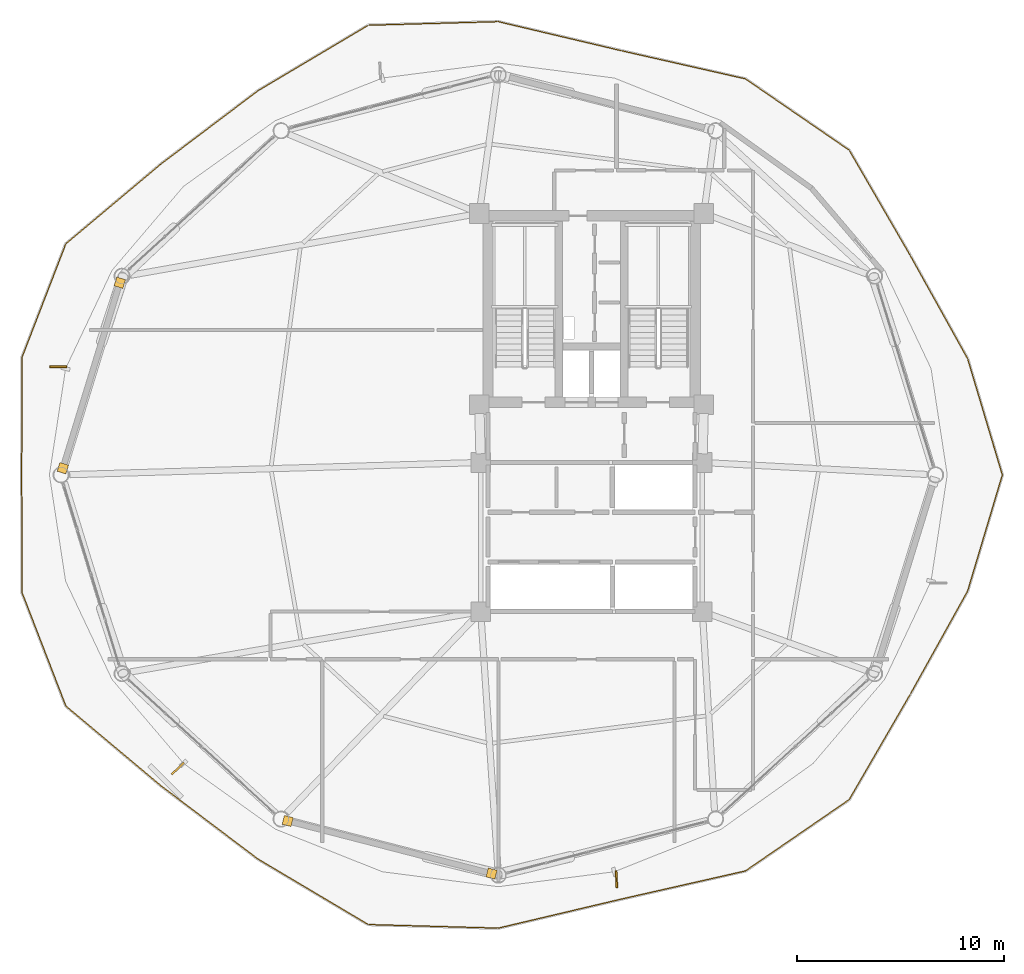
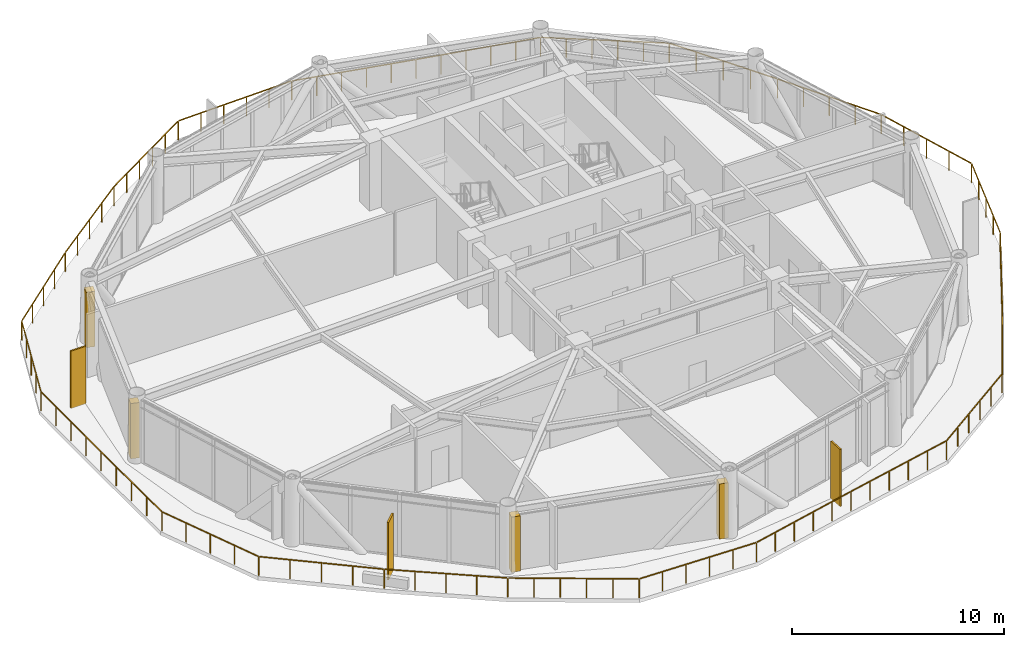
# One storey, part 21 of 23: 4 coverings, 3 shading devices, 1 railing.
"""IFC4 building model written with IfcOpenShell, lengths in metres."""

from ifc_helpers import new_model, si_unit, direction, frame, origin, origin_2d, place, context, subcontext, project, spatial, rectangle, extrude, source, transform, mapped, material, layer, layer_set, type_object, type_shapes, element, save


model = new_model("IFC4")

# Units and contexts
model_context = context("Model", 3, precision=1e-05, world=origin(), true_north=direction((0.0, 1.0)))
body_context = subcontext(model_context, "Body", "Model", "MODEL_VIEW")
ifc_project = project(units=[si_unit("LENGTHUNIT", "METRE"), si_unit("AREAUNIT", "SQUARE_METRE"), si_unit("VOLUMEUNIT", "CUBIC_METRE"), si_unit("PLANEANGLEUNIT", "RADIAN"), si_unit("MASSUNIT", "GRAM", prefix="KILO")], contexts=[model_context])

# Site, building, storey
site_placement = place(None, origin())
site = spatial("IfcSite", under=ifc_project, at=site_placement, CompositionType="ELEMENT")
building_placement = place(site_placement, origin())
building = spatial("IfcBuilding", under=site, at=building_placement, Name="Varnakorn Sky Granary", CompositionType="ELEMENT")
storey_placement = place(building_placement, frame((0.0, 0.0, 130.5)))
storey = spatial("IfcBuildingStorey", under=building, at=storey_placement, Name="L32", CompositionType="ELEMENT", Elevation=130.5)

# Railing
ifc_material = material(Name="Anodised Bronze Aluminium Alloy 6063-T6", Category="aluminium")
railing_type = type_object("IfcRailingType", Name="RL-BAL-1120", PredefinedType="BALUSTRADE", material=ifc_material)
railing_placement = place(storey_placement, frame((22.826904296875, 0.0, 0.0)))
element("IfcRailing", 1, at=railing_placement, inside=storey, type_object=railing_type, Name="Wavy Growing Deck Guard Balustrade L32", PredefinedType="BALUSTRADE", context=body_context, shape_type="SweptSolid", body=[
    extrude(rectangle(XDim=0.048095703125, YDim=0.048095703125, at=origin_2d()), frame((-0.008056640625, 0.02685546875, 1.09619140625), z_axis=(-0.286249325385, 0.958155166827, 0.0), x_axis=(-0.958155166827, -0.286249325385, 0.0)), (0.0, 0.0, 1.0), 5.796630859375),
    extrude(rectangle(XDim=0.048095703125, YDim=0.048095703125, at=origin_2d()), frame((-1.68896484375, 5.632080078125, 1.09619140625), z_axis=(-0.485933969828, 0.873995524569, 0.0), x_axis=(-0.873995524569, -0.485933969828, 0.0)), (0.0, 0.0, 1.0), 5.641357421875),
    extrude(rectangle(XDim=0.048095703125, YDim=0.048095703125, at=origin_2d()), frame((-4.457763671875, 10.611328125, 1.09619140625), z_axis=(-0.501353831619, 0.865242356523, 0.0), x_axis=(-0.865242356523, -0.501353831619, 0.0)), (0.0, 0.0, 1.0), 5.822509765625),
    extrude(rectangle(XDim=0.048095703125, YDim=0.048095703125, at=origin_2d()), frame((-7.414306640625, 15.689453125, 1.09619140625), z_axis=(-0.824078266862, 0.5664759572, 0.0), x_axis=(-0.5664759572, -0.824078266862, 0.0)), (0.0, 0.0, 1.0), 6.02001953125),
    extrude(rectangle(XDim=0.048095703125, YDim=0.048095703125, at=origin_2d()), frame((-12.425537109375, 19.12158203125, 1.09619140625), z_axis=(-0.97524612431, 0.221122131451, 0.0), x_axis=(-0.221122131451, -0.97524612431, 0.0)), (0.0, 0.0, 1.0), 6.0771484375),
    extrude(rectangle(XDim=0.048095703125, YDim=0.048095703125, at=origin_2d()), frame((-18.406982421875, 20.47802734375, 1.09619140625), z_axis=(-0.973236623357, 0.229805297929, 0.0), x_axis=(-0.229805297929, -0.973236623357, 0.0)), (0.0, 0.0, 1.0), 6.054931640625),
    extrude(rectangle(XDim=0.048095703125, YDim=0.048095703125, at=origin_2d()), frame((-24.35498046875, 21.875244140625, 1.09619140625), z_axis=(-0.999622174794, -0.027486499595, 0.0), x_axis=(0.027486499595, -0.999622174794, 0.0)), (0.0, 0.0, 1.0), 6.2236328125),
    extrude(rectangle(XDim=0.048095703125, YDim=0.048095703125, at=origin_2d()), frame((-30.62841796875, 21.68896484375, 1.09619140625), z_axis=(-0.859861238135, -0.510527816237, 0.0), x_axis=(0.510527816237, -0.859861238135, 0.0)), (0.0, 0.0, 1.0), 6.132568359375),
    extrude(rectangle(XDim=0.048095703125, YDim=0.048095703125, at=origin_2d()), frame((-35.947998046875, 18.527099609375, 1.09619140625), z_axis=(-0.798171384119, -0.602430445424, 0.0), x_axis=(0.602430445424, -0.798171384119, 0.0)), (0.0, 0.0, 1.0), 5.8037109375),
    extrude(rectangle(XDim=0.048095703125, YDim=0.048095703125, at=origin_2d()), frame((-40.6240234375, 14.995849609375, 1.09619140625), z_axis=(-0.766246474007, -0.642546761778, 0.0), x_axis=(0.642546761778, -0.766246474007, 0.0)), (0.0, 0.0, 1.0), 5.94384765625),
    extrude(rectangle(XDim=0.048095703125, YDim=0.048095703125, at=origin_2d()), frame((-45.2099609375, 11.132568359375, 1.09619140625), z_axis=(-0.360113155434, -0.932908631798, 0.0), x_axis=(0.932908631798, -0.360113155434, 0.0)), (0.0, 0.0, 1.0), 5.799560546875),
    extrude(rectangle(XDim=0.048095703125, YDim=0.048095703125, at=origin_2d()), frame((-47.308837890625, 5.66796875, 1.09619140625), z_axis=(-0.00445754433, -0.9999900651, 0.0), x_axis=(0.9999900651, -0.00445754433, 0.0)), (0.0, 0.0, 1.0), 5.64013671875),
    extrude(rectangle(XDim=0.048095703125, YDim=0.048095703125, at=origin_2d()), frame((-47.333740234375, -0.028076171875, 1.09619140625), z_axis=(0.00445754433, -0.9999900651, 0.0), x_axis=(0.9999900651, 0.00445754433, 0.0)), (0.0, 0.0, 1.0), 5.64013671875),
    extrude(rectangle(XDim=0.048095703125, YDim=0.048095703125, at=origin_2d()), frame((-47.298583984375, -5.72216796875, 1.09619140625), z_axis=(0.360113155434, -0.932908631798, 0.0), x_axis=(0.932908631798, 0.360113155434, 0.0)), (0.0, 0.0, 1.0), 5.799560546875),
    extrude(rectangle(XDim=0.048095703125, YDim=0.048095703125, at=origin_2d()), frame((-45.178466796875, -11.1767578125, 1.09619140625), z_axis=(0.766246474007, -0.642546761778, 0.0), x_axis=(0.642546761778, 0.766246474007, 0.0)), (0.0, 0.0, 1.0), 5.94384765625),
    extrude(rectangle(XDim=0.048095703125, YDim=0.048095703125, at=origin_2d()), frame((-40.580078125, -15.03076171875, 1.09619140625), z_axis=(0.798171384119, -0.602430445424, 0.0), x_axis=(0.602430445424, 0.798171384119, 0.0)), (0.0, 0.0, 1.0), 5.8037109375),
    extrude(rectangle(XDim=0.048095703125, YDim=0.048095703125, at=origin_2d()), frame((-35.9013671875, -18.558349609375, 1.09619140625), z_axis=(0.859861238135, -0.510527816237, 0.0), x_axis=(0.510527816237, 0.859861238135, 0.0)), (0.0, 0.0, 1.0), 6.132568359375),
    extrude(rectangle(XDim=0.048095703125, YDim=0.048095703125, at=origin_2d()), frame((-30.576171875, -21.7041015625, 1.09619140625), z_axis=(0.999622174794, -0.027486499595, 0.0), x_axis=(0.027486499595, 0.999622174794, 0.0)), (0.0, 0.0, 1.0), 6.2236328125),
    extrude(rectangle(XDim=0.048095703125, YDim=0.048095703125, at=origin_2d()), frame((-24.299560546875, -21.86962890625, 1.09619140625), z_axis=(0.973236623357, 0.229805297929, 0.0), x_axis=(-0.229805297929, 0.973236623357, 0.0)), (0.0, 0.0, 1.0), 6.054931640625),
    extrude(rectangle(XDim=0.048095703125, YDim=0.048095703125, at=origin_2d()), frame((-18.352294921875, -20.465576171875, 1.09619140625), z_axis=(0.97524612431, 0.221122131451, 0.0), x_axis=(-0.221122131451, 0.97524612431, 0.0)), (0.0, 0.0, 1.0), 6.0771484375),
    extrude(rectangle(XDim=0.048095703125, YDim=0.048095703125, at=origin_2d()), frame((-12.375, -19.099609375, 1.09619140625), z_axis=(0.824078266862, 0.5664759572, 0.0), x_axis=(-0.5664759572, 0.824078266862, 0.0)), (0.0, 0.0, 1.0), 6.02001953125),
    extrude(rectangle(XDim=0.048095703125, YDim=0.048095703125, at=origin_2d()), frame((-7.377197265625, -15.6494140625, 1.09619140625), z_axis=(0.501353831619, 0.865242356523, 0.0), x_axis=(-0.865242356523, 0.501353831619, 0.0)), (0.0, 0.0, 1.0), 5.822509765625),
    extrude(rectangle(XDim=0.048095703125, YDim=0.048095703125, at=origin_2d()), frame((-4.43017578125, -10.562744140625, 1.09619140625), z_axis=(0.485933969828, 0.873995524569, 0.0), x_axis=(-0.873995524569, 0.485933969828, 0.0)), (0.0, 0.0, 1.0), 5.641357421875),
    extrude(rectangle(XDim=0.048095703125, YDim=0.048095703125, at=origin_2d()), frame((-1.667236328125, -5.580810546875, 1.09619140625), z_axis=(0.286249325385, 0.958155166827, 0.0), x_axis=(-0.958155166827, 0.286249325385, 0.0)), (0.0, 0.0, 1.0), 5.796630859375),
    extrude(rectangle(XDim=0.0419921875, YDim=0.0419921875, at=origin_2d()), origin(), (0.0, 0.0, 1.0), 1.068115234375),
    extrude(rectangle(XDim=0.0419921875, YDim=0.0419921875, at=origin_2d()), frame((-0.4189453125, 1.40185546875, 0.0)), (0.0, 0.0, 1.0), 1.068115234375),
    extrude(rectangle(XDim=0.0419921875, YDim=0.0419921875, at=origin_2d()), frame((-0.837646484375, 2.8037109375, 0.0)), (0.0, 0.0, 1.0), 1.068115234375),
    extrude(rectangle(XDim=0.0419921875, YDim=0.0419921875, at=origin_2d()), frame((-1.25634765625, 4.205810546875, 0.0)), (0.0, 0.0, 1.0), 1.068115234375),
    extrude(rectangle(XDim=0.0419921875, YDim=0.0419921875, at=origin_2d()), frame((-1.67529296875, 5.607666015625, 0.0)), (0.0, 0.0, 1.0), 1.068115234375),
    extrude(rectangle(XDim=0.0419921875, YDim=0.0419921875, at=origin_2d()), frame((-2.367431640625, 6.8525390625, 0.0)), (0.0, 0.0, 1.0), 1.068115234375),
    extrude(rectangle(XDim=0.0419921875, YDim=0.0419921875, at=origin_2d()), frame((-3.0595703125, 8.097412109375, 0.0)), (0.0, 0.0, 1.0), 1.068115234375),
    extrude(rectangle(XDim=0.0419921875, YDim=0.0419921875, at=origin_2d()), frame((-3.751708984375, 9.34228515625, 0.0)), (0.0, 0.0, 1.0), 1.068115234375),
    extrude(rectangle(XDim=0.0419921875, YDim=0.0419921875, at=origin_2d()), frame((-4.44384765625, 10.587158203125, 0.0)), (0.0, 0.0, 1.0), 1.068115234375),
    extrude(rectangle(XDim=0.0419921875, YDim=0.0419921875, at=origin_2d()), frame((-5.1806640625, 11.85888671875, 0.0)), (0.0, 0.0, 1.0), 1.068115234375),
    extrude(rectangle(XDim=0.0419921875, YDim=0.0419921875, at=origin_2d()), frame((-5.91748046875, 13.13037109375, 0.0)), (0.0, 0.0, 1.0), 1.068115234375),
    extrude(rectangle(XDim=0.0419921875, YDim=0.0419921875, at=origin_2d()), frame((-6.654296875, 14.40185546875, 0.0)), (0.0, 0.0, 1.0), 1.068115234375),
    extrude(rectangle(XDim=0.0419921875, YDim=0.0419921875, at=origin_2d()), frame((-7.39111328125, 15.673583984375, 0.0)), (0.0, 0.0, 1.0), 1.068115234375),
    extrude(rectangle(XDim=0.0419921875, YDim=0.0419921875, at=origin_2d()), frame((-8.392578125, 16.362060546875, 0.0)), (0.0, 0.0, 1.0), 1.068115234375),
    extrude(rectangle(XDim=0.0419921875, YDim=0.0419921875, at=origin_2d()), frame((-9.39404296875, 17.05029296875, 0.0)), (0.0, 0.0, 1.0), 1.068115234375),
    extrude(rectangle(XDim=0.0419921875, YDim=0.0419921875, at=origin_2d()), frame((-10.395263671875, 17.73876953125, 0.0)), (0.0, 0.0, 1.0), 1.068115234375),
    extrude(rectangle(XDim=0.0419921875, YDim=0.0419921875, at=origin_2d()), frame((-11.396728515625, 18.427001953125, 0.0)), (0.0, 0.0, 1.0), 1.068115234375),
    extrude(rectangle(XDim=0.0419921875, YDim=0.0419921875, at=origin_2d()), frame((-12.398193359375, 19.115478515625, 0.0)), (0.0, 0.0, 1.0), 1.068115234375),
    extrude(rectangle(XDim=0.0419921875, YDim=0.0419921875, at=origin_2d()), frame((-13.594482421875, 19.38671875, 0.0)), (0.0, 0.0, 1.0), 1.068115234375),
    extrude(rectangle(XDim=0.0419921875, YDim=0.0419921875, at=origin_2d()), frame((-14.790771484375, 19.657958984375, 0.0)), (0.0, 0.0, 1.0), 1.068115234375),
    extrude(rectangle(XDim=0.0419921875, YDim=0.0419921875, at=origin_2d()), frame((-15.987060546875, 19.92919921875, 0.0)), (0.0, 0.0, 1.0), 1.068115234375),
    extrude(rectangle(XDim=0.0419921875, YDim=0.0419921875, at=origin_2d()), frame((-17.183349609375, 20.200439453125, 0.0)), (0.0, 0.0, 1.0), 1.068115234375),
    extrude(rectangle(XDim=0.0419921875, YDim=0.0419921875, at=origin_2d()), frame((-18.379638671875, 20.4716796875, 0.0)), (0.0, 0.0, 1.0), 1.068115234375),
    extrude(rectangle(XDim=0.0419921875, YDim=0.0419921875, at=origin_2d()), frame((-19.569091796875, 20.75244140625, 0.0)), (0.0, 0.0, 1.0), 1.068115234375),
    extrude(rectangle(XDim=0.0419921875, YDim=0.0419921875, at=origin_2d()), frame((-20.758544921875, 21.033447265625, 0.0)), (0.0, 0.0, 1.0), 1.068115234375),
    extrude(rectangle(XDim=0.0419921875, YDim=0.0419921875, at=origin_2d()), frame((-21.947998046875, 21.314208984375, 0.0)), (0.0, 0.0, 1.0), 1.068115234375),
    extrude(rectangle(XDim=0.0419921875, YDim=0.0419921875, at=origin_2d()), frame((-23.137451171875, 21.59521484375, 0.0)), (0.0, 0.0, 1.0), 1.068115234375),
    extrude(rectangle(XDim=0.0419921875, YDim=0.0419921875, at=origin_2d()), frame((-24.326904296875, 21.8759765625, 0.0)), (0.0, 0.0, 1.0), 1.068115234375),
    extrude(rectangle(XDim=0.0419921875, YDim=0.0419921875, at=origin_2d()), frame((-25.582275390625, 21.841552734375, 0.0)), (0.0, 0.0, 1.0), 1.068115234375),
    extrude(rectangle(XDim=0.0419921875, YDim=0.0419921875, at=origin_2d()), frame((-26.837890625, 21.806884765625, 0.0)), (0.0, 0.0, 1.0), 1.068115234375),
    extrude(rectangle(XDim=0.0419921875, YDim=0.0419921875, at=origin_2d()), frame((-28.09326171875, 21.7724609375, 0.0)), (0.0, 0.0, 1.0), 1.068115234375),
    extrude(rectangle(XDim=0.0419921875, YDim=0.0419921875, at=origin_2d()), frame((-29.348876953125, 21.73779296875, 0.0)), (0.0, 0.0, 1.0), 1.068115234375),
    extrude(rectangle(XDim=0.0419921875, YDim=0.0419921875, at=origin_2d()), frame((-30.604248046875, 21.703369140625, 0.0)), (0.0, 0.0, 1.0), 1.068115234375),
    extrude(rectangle(XDim=0.0419921875, YDim=0.0419921875, at=origin_2d()), frame((-31.66845703125, 21.071533203125, 0.0)), (0.0, 0.0, 1.0), 1.068115234375),
    extrude(rectangle(XDim=0.0419921875, YDim=0.0419921875, at=origin_2d()), frame((-32.732666015625, 20.439697265625, 0.0)), (0.0, 0.0, 1.0), 1.068115234375),
    extrude(rectangle(XDim=0.0419921875, YDim=0.0419921875, at=origin_2d()), frame((-33.797119140625, 19.8076171875, 0.0)), (0.0, 0.0, 1.0), 1.068115234375),
    extrude(rectangle(XDim=0.0419921875, YDim=0.0419921875, at=origin_2d()), frame((-34.861328125, 19.17578125, 0.0)), (0.0, 0.0, 1.0), 1.068115234375),
    extrude(rectangle(XDim=0.0419921875, YDim=0.0419921875, at=origin_2d()), frame((-35.925537109375, 18.5439453125, 0.0)), (0.0, 0.0, 1.0), 1.068115234375),
    extrude(rectangle(XDim=0.0419921875, YDim=0.0419921875, at=origin_2d()), frame((-37.0947265625, 17.661376953125, 0.0)), (0.0, 0.0, 1.0), 1.068115234375),
    extrude(rectangle(XDim=0.0419921875, YDim=0.0419921875, at=origin_2d()), frame((-38.26416015625, 16.77880859375, 0.0)), (0.0, 0.0, 1.0), 1.068115234375),
    extrude(rectangle(XDim=0.0419921875, YDim=0.0419921875, at=origin_2d()), frame((-39.433349609375, 15.896484375, 0.0)), (0.0, 0.0, 1.0), 1.068115234375),
    extrude(rectangle(XDim=0.0419921875, YDim=0.0419921875, at=origin_2d()), frame((-40.6025390625, 15.013916015625, 0.0)), (0.0, 0.0, 1.0), 1.068115234375),
    extrude(rectangle(XDim=0.0419921875, YDim=0.0419921875, at=origin_2d()), frame((-41.751953125, 14.050048828125, 0.0)), (0.0, 0.0, 1.0), 1.068115234375),
    extrude(rectangle(XDim=0.0419921875, YDim=0.0419921875, at=origin_2d()), frame((-42.9013671875, 13.08642578125, 0.0)), (0.0, 0.0, 1.0), 1.068115234375),
    extrude(rectangle(XDim=0.0419921875, YDim=0.0419921875, at=origin_2d()), frame((-44.050537109375, 12.12255859375, 0.0)), (0.0, 0.0, 1.0), 1.068115234375),
    extrude(rectangle(XDim=0.0419921875, YDim=0.0419921875, at=origin_2d()), frame((-45.199951171875, 11.15869140625, 0.0)), (0.0, 0.0, 1.0), 1.068115234375),
    extrude(rectangle(XDim=0.0419921875, YDim=0.0419921875, at=origin_2d()), frame((-45.72705078125, 9.79296875, 0.0)), (0.0, 0.0, 1.0), 1.068115234375),
    extrude(rectangle(XDim=0.0419921875, YDim=0.0419921875, at=origin_2d()), frame((-46.25439453125, 8.42724609375, 0.0)), (0.0, 0.0, 1.0), 1.068115234375),
    extrude(rectangle(XDim=0.0419921875, YDim=0.0419921875, at=origin_2d()), frame((-46.781494140625, 7.061767578125, 0.0)), (0.0, 0.0, 1.0), 1.068115234375),
    extrude(rectangle(XDim=0.0419921875, YDim=0.0419921875, at=origin_2d()), frame((-47.30859375, 5.696044921875, 0.0)), (0.0, 0.0, 1.0), 1.068115234375),
    extrude(rectangle(XDim=0.0419921875, YDim=0.0419921875, at=origin_2d()), frame((-47.31494140625, 4.27197265625, 0.0)), (0.0, 0.0, 1.0), 1.068115234375),
    extrude(rectangle(XDim=0.0419921875, YDim=0.0419921875, at=origin_2d()), frame((-47.3212890625, 2.84814453125, 0.0)), (0.0, 0.0, 1.0), 1.068115234375),
    extrude(rectangle(XDim=0.0419921875, YDim=0.0419921875, at=origin_2d()), frame((-47.32763671875, 1.424072265625, 0.0)), (0.0, 0.0, 1.0), 1.068115234375),
    extrude(rectangle(XDim=0.0419921875, YDim=0.0419921875, at=origin_2d()), frame((-47.333984375, 0.0, 0.0)), (0.0, 0.0, 1.0), 1.068115234375),
    extrude(rectangle(XDim=0.0419921875, YDim=0.0419921875, at=origin_2d()), frame((-47.32763671875, -1.424072265625, 0.0)), (0.0, 0.0, 1.0), 1.068115234375),
    extrude(rectangle(XDim=0.0419921875, YDim=0.0419921875, at=origin_2d()), frame((-47.3212890625, -2.84814453125, 0.0)), (0.0, 0.0, 1.0), 1.068115234375),
    extrude(rectangle(XDim=0.0419921875, YDim=0.0419921875, at=origin_2d()), frame((-47.31494140625, -4.27197265625, 0.0)), (0.0, 0.0, 1.0), 1.068115234375),
    extrude(rectangle(XDim=0.0419921875, YDim=0.0419921875, at=origin_2d()), frame((-47.30859375, -5.696044921875, 0.0)), (0.0, 0.0, 1.0), 1.068115234375),
    extrude(rectangle(XDim=0.0419921875, YDim=0.0419921875, at=origin_2d()), frame((-46.781494140625, -7.061767578125, 0.0)), (0.0, 0.0, 1.0), 1.068115234375),
    extrude(rectangle(XDim=0.0419921875, YDim=0.0419921875, at=origin_2d()), frame((-46.25439453125, -8.42724609375, 0.0)), (0.0, 0.0, 1.0), 1.068115234375),
    extrude(rectangle(XDim=0.0419921875, YDim=0.0419921875, at=origin_2d()), frame((-45.72705078125, -9.79296875, 0.0)), (0.0, 0.0, 1.0), 1.068115234375),
    extrude(rectangle(XDim=0.0419921875, YDim=0.0419921875, at=origin_2d()), frame((-45.199951171875, -11.15869140625, 0.0)), (0.0, 0.0, 1.0), 1.068115234375),
    extrude(rectangle(XDim=0.0419921875, YDim=0.0419921875, at=origin_2d()), frame((-44.050537109375, -12.12255859375, 0.0)), (0.0, 0.0, 1.0), 1.068115234375),
    extrude(rectangle(XDim=0.0419921875, YDim=0.0419921875, at=origin_2d()), frame((-42.9013671875, -13.08642578125, 0.0)), (0.0, 0.0, 1.0), 1.068115234375),
    extrude(rectangle(XDim=0.0419921875, YDim=0.0419921875, at=origin_2d()), frame((-41.751953125, -14.050048828125, 0.0)), (0.0, 0.0, 1.0), 1.068115234375),
    extrude(rectangle(XDim=0.0419921875, YDim=0.0419921875, at=origin_2d()), frame((-40.6025390625, -15.013916015625, 0.0)), (0.0, 0.0, 1.0), 1.068115234375),
    extrude(rectangle(XDim=0.0419921875, YDim=0.0419921875, at=origin_2d()), frame((-39.433349609375, -15.896484375, 0.0)), (0.0, 0.0, 1.0), 1.068115234375),
    extrude(rectangle(XDim=0.0419921875, YDim=0.0419921875, at=origin_2d()), frame((-38.26416015625, -16.77880859375, 0.0)), (0.0, 0.0, 1.0), 1.068115234375),
    extrude(rectangle(XDim=0.0419921875, YDim=0.0419921875, at=origin_2d()), frame((-37.0947265625, -17.661376953125, 0.0)), (0.0, 0.0, 1.0), 1.068115234375),
    extrude(rectangle(XDim=0.0419921875, YDim=0.0419921875, at=origin_2d()), frame((-35.925537109375, -18.5439453125, 0.0)), (0.0, 0.0, 1.0), 1.068115234375),
    extrude(rectangle(XDim=0.0419921875, YDim=0.0419921875, at=origin_2d()), frame((-34.861328125, -19.17578125, 0.0)), (0.0, 0.0, 1.0), 1.068115234375),
    extrude(rectangle(XDim=0.0419921875, YDim=0.0419921875, at=origin_2d()), frame((-33.797119140625, -19.8076171875, 0.0)), (0.0, 0.0, 1.0), 1.068115234375),
    extrude(rectangle(XDim=0.0419921875, YDim=0.0419921875, at=origin_2d()), frame((-32.732666015625, -20.439697265625, 0.0)), (0.0, 0.0, 1.0), 1.068115234375),
    extrude(rectangle(XDim=0.0419921875, YDim=0.0419921875, at=origin_2d()), frame((-31.66845703125, -21.071533203125, 0.0)), (0.0, 0.0, 1.0), 1.068115234375),
    extrude(rectangle(XDim=0.0419921875, YDim=0.0419921875, at=origin_2d()), frame((-30.604248046875, -21.703369140625, 0.0)), (0.0, 0.0, 1.0), 1.068115234375),
    extrude(rectangle(XDim=0.0419921875, YDim=0.0419921875, at=origin_2d()), frame((-29.348876953125, -21.73779296875, 0.0)), (0.0, 0.0, 1.0), 1.068115234375),
    extrude(rectangle(XDim=0.0419921875, YDim=0.0419921875, at=origin_2d()), frame((-28.09326171875, -21.7724609375, 0.0)), (0.0, 0.0, 1.0), 1.068115234375),
    extrude(rectangle(XDim=0.0419921875, YDim=0.0419921875, at=origin_2d()), frame((-26.837890625, -21.806884765625, 0.0)), (0.0, 0.0, 1.0), 1.068115234375),
    extrude(rectangle(XDim=0.0419921875, YDim=0.0419921875, at=origin_2d()), frame((-25.582275390625, -21.841552734375, 0.0)), (0.0, 0.0, 1.0), 1.068115234375),
    extrude(rectangle(XDim=0.0419921875, YDim=0.0419921875, at=origin_2d()), frame((-24.326904296875, -21.8759765625, 0.0)), (0.0, 0.0, 1.0), 1.068115234375),
    extrude(rectangle(XDim=0.0419921875, YDim=0.0419921875, at=origin_2d()), frame((-23.137451171875, -21.59521484375, 0.0)), (0.0, 0.0, 1.0), 1.068115234375),
    extrude(rectangle(XDim=0.0419921875, YDim=0.0419921875, at=origin_2d()), frame((-21.947998046875, -21.314208984375, 0.0)), (0.0, 0.0, 1.0), 1.068115234375),
    extrude(rectangle(XDim=0.0419921875, YDim=0.0419921875, at=origin_2d()), frame((-20.758544921875, -21.033447265625, 0.0)), (0.0, 0.0, 1.0), 1.068115234375),
    extrude(rectangle(XDim=0.0419921875, YDim=0.0419921875, at=origin_2d()), frame((-19.569091796875, -20.75244140625, 0.0)), (0.0, 0.0, 1.0), 1.068115234375),
    extrude(rectangle(XDim=0.0419921875, YDim=0.0419921875, at=origin_2d()), frame((-18.379638671875, -20.4716796875, 0.0)), (0.0, 0.0, 1.0), 1.068115234375),
    extrude(rectangle(XDim=0.0419921875, YDim=0.0419921875, at=origin_2d()), frame((-17.183349609375, -20.200439453125, 0.0)), (0.0, 0.0, 1.0), 1.068115234375),
    extrude(rectangle(XDim=0.0419921875, YDim=0.0419921875, at=origin_2d()), frame((-15.987060546875, -19.92919921875, 0.0)), (0.0, 0.0, 1.0), 1.068115234375),
    extrude(rectangle(XDim=0.0419921875, YDim=0.0419921875, at=origin_2d()), frame((-14.790771484375, -19.657958984375, 0.0)), (0.0, 0.0, 1.0), 1.068115234375),
    extrude(rectangle(XDim=0.0419921875, YDim=0.0419921875, at=origin_2d()), frame((-13.594482421875, -19.38671875, 0.0)), (0.0, 0.0, 1.0), 1.068115234375),
    extrude(rectangle(XDim=0.0419921875, YDim=0.0419921875, at=origin_2d()), frame((-12.398193359375, -19.115478515625, 0.0)), (0.0, 0.0, 1.0), 1.068115234375),
    extrude(rectangle(XDim=0.0419921875, YDim=0.0419921875, at=origin_2d()), frame((-11.396728515625, -18.427001953125, 0.0)), (0.0, 0.0, 1.0), 1.068115234375),
    extrude(rectangle(XDim=0.0419921875, YDim=0.0419921875, at=origin_2d()), frame((-10.395263671875, -17.73876953125, 0.0)), (0.0, 0.0, 1.0), 1.068115234375),
    extrude(rectangle(XDim=0.0419921875, YDim=0.0419921875, at=origin_2d()), frame((-9.39404296875, -17.05029296875, 0.0)), (0.0, 0.0, 1.0), 1.068115234375),
    extrude(rectangle(XDim=0.0419921875, YDim=0.0419921875, at=origin_2d()), frame((-8.392578125, -16.362060546875, 0.0)), (0.0, 0.0, 1.0), 1.068115234375),
    extrude(rectangle(XDim=0.0419921875, YDim=0.0419921875, at=origin_2d()), frame((-7.39111328125, -15.673583984375, 0.0)), (0.0, 0.0, 1.0), 1.068115234375),
    extrude(rectangle(XDim=0.0419921875, YDim=0.0419921875, at=origin_2d()), frame((-6.654296875, -14.40185546875, 0.0)), (0.0, 0.0, 1.0), 1.068115234375),
    extrude(rectangle(XDim=0.0419921875, YDim=0.0419921875, at=origin_2d()), frame((-5.91748046875, -13.13037109375, 0.0)), (0.0, 0.0, 1.0), 1.068115234375),
    extrude(rectangle(XDim=0.0419921875, YDim=0.0419921875, at=origin_2d()), frame((-5.1806640625, -11.85888671875, 0.0)), (0.0, 0.0, 1.0), 1.068115234375),
    extrude(rectangle(XDim=0.0419921875, YDim=0.0419921875, at=origin_2d()), frame((-4.44384765625, -10.587158203125, 0.0)), (0.0, 0.0, 1.0), 1.068115234375),
    extrude(rectangle(XDim=0.0419921875, YDim=0.0419921875, at=origin_2d()), frame((-3.751708984375, -9.34228515625, 0.0)), (0.0, 0.0, 1.0), 1.068115234375),
    extrude(rectangle(XDim=0.0419921875, YDim=0.0419921875, at=origin_2d()), frame((-3.0595703125, -8.097412109375, 0.0)), (0.0, 0.0, 1.0), 1.068115234375),
    extrude(rectangle(XDim=0.0419921875, YDim=0.0419921875, at=origin_2d()), frame((-2.367431640625, -6.8525390625, 0.0)), (0.0, 0.0, 1.0), 1.068115234375),
    extrude(rectangle(XDim=0.0419921875, YDim=0.0419921875, at=origin_2d()), frame((-1.67529296875, -5.607666015625, 0.0)), (0.0, 0.0, 1.0), 1.068115234375),
    extrude(rectangle(XDim=0.0419921875, YDim=0.0419921875, at=origin_2d()), frame((-1.25634765625, -4.205810546875, 0.0)), (0.0, 0.0, 1.0), 1.068115234375),
    extrude(rectangle(XDim=0.0419921875, YDim=0.0419921875, at=origin_2d()), frame((-0.837646484375, -2.8037109375, 0.0)), (0.0, 0.0, 1.0), 1.068115234375),
    extrude(rectangle(XDim=0.0419921875, YDim=0.0419921875, at=origin_2d()), frame((-0.4189453125, -1.40185546875, 0.0)), (0.0, 0.0, 1.0), 1.068115234375),
])

# Shading devices
shading_device_type = type_object("IfcShadingDeviceType", Name="SH-FIN-02", PredefinedType="USERDEFINED", material=ifc_material)
shared_shape_1 = source(origin(), body_context, "Body", "SweptSolid", [
    extrude(rectangle(XDim=0.0849609375, YDim=0.820068359375, at=origin_2d()), origin(), (0.0, 0.0, 1.0), 3.300048828125),
])
type_shapes(shading_device_type, [shared_shape_1])
for number, where, z_axis, x_axis, name in (
    (2, (-22.7451171875, 5.218505859375, -0.0400390625), (0.0, 0.0, 1.0), (0.00660948719, -0.999978157101, 0.0), "Bronze Solar-Tracking Vertical Blade FIN L32-06"),
    (3, (-16.97021484375, -14.17333984375, -0.0400390625), (0.0, 0.0, 1.0), (0.693305357986, -0.720643934677, 0.0), "Bronze Solar-Tracking Vertical Blade FIN L32-08"),
    (4, (4.20263671875, -19.509765625, -0.0400390625), (0.0, 0.0, 1.0), (0.998795824876, 0.049060169281, 0.0), "Bronze Solar-Tracking Vertical Blade FIN L32-10"),
):
    element("IfcShadingDevice", number, at=place(storey_placement, frame(where, z_axis=z_axis, x_axis=x_axis)), inside=storey, type_object=shading_device_type, Name=name, ObjectType="FIN", PredefinedType="USERDEFINED", context=body_context, shape_type="MappedRepresentation", body=[
        mapped(shared_shape_1, transform((0.0, 0.0, 0.0), x_axis=(1.0, 0.0, 0.0), y_axis=(0.0, 1.0, 0.0), z_axis=(0.0, 0.0, 1.0), scale=1.0)),
    ])

# Coverings
ifc_layer = layer(ifc_material, 0.050048828125, Name="Anodised Bronze Aluminium Alloy 6063-T6")
ifc_layer_set = layer_set([ifc_layer], Name="Anodised Bronze Aluminium Alloy 6063-T6")
covering_type = type_object("IfcCoveringType", Name="CV-CLAD-50", PredefinedType="CLADDING", material=ifc_layer_set)
shared_shape_2 = source(origin(), body_context, "Body", "SweptSolid", [
    extrude(rectangle(XDim=0.43994140625, YDim=0.43994140625, at=origin_2d()), origin(), (0.0, 0.0, 1.0), 3.179931640625),
])
type_shapes(covering_type, [shared_shape_2])
for number, where, z_axis, x_axis, name in (
    (5, (-22.518310546875, 0.3212890625, -0.02001953125), (0.0, 0.0, 1.0), (0.293539832896, 0.955946842928, 0.0), "Bronze Corner Pilaster Closure L32-P06-A"),
    (6, (-19.76953125, 9.2744140625, -0.02001953125), (0.0, 0.0, 1.0), (0.293539832896, 0.955946842928, 0.0), "Bronze Corner Pilaster Closure L32-P06-B"),
    (7, (-1.825439453125, -19.2421875, -0.02001953125), (0.0, 0.0, 1.0), (-0.96832220265, 0.249704048534, 0.0), "Bronze Corner Pilaster Closure L32-P09-A"),
    (8, (-11.66552734375, -16.703857421875, -0.02001953125), (0.0, 0.0, 1.0), (-0.96832220265, 0.249704048534, 0.0), "Bronze Corner Pilaster Closure L32-P09-B"),
):
    element("IfcCovering", number, at=place(storey_placement, frame(where, z_axis=z_axis, x_axis=x_axis)), inside=storey, type_object=covering_type, Name=name, PredefinedType="CLADDING", context=body_context, shape_type="MappedRepresentation", body=[
        mapped(shared_shape_2, transform((0.0, 0.0, 0.0), x_axis=(1.0, 0.0, 0.0), y_axis=(0.0, 1.0, 0.0), z_axis=(0.0, 0.0, 1.0), scale=1.0)),
    ])

save(model, "model.ifc")
